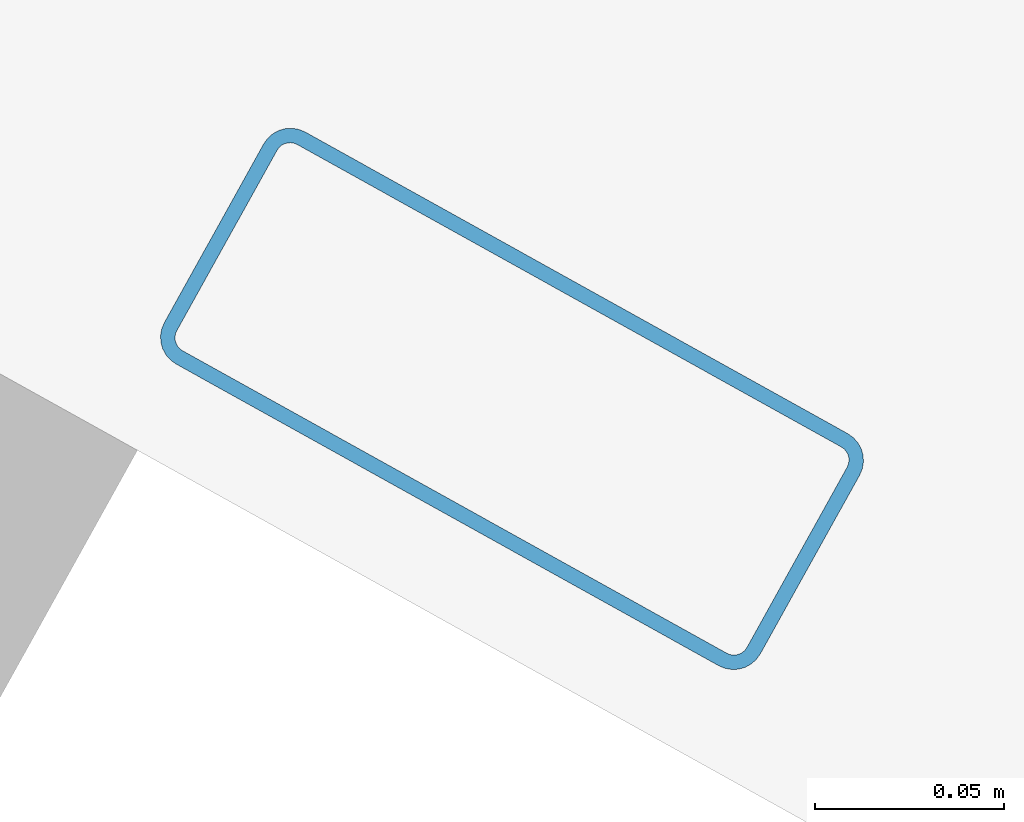
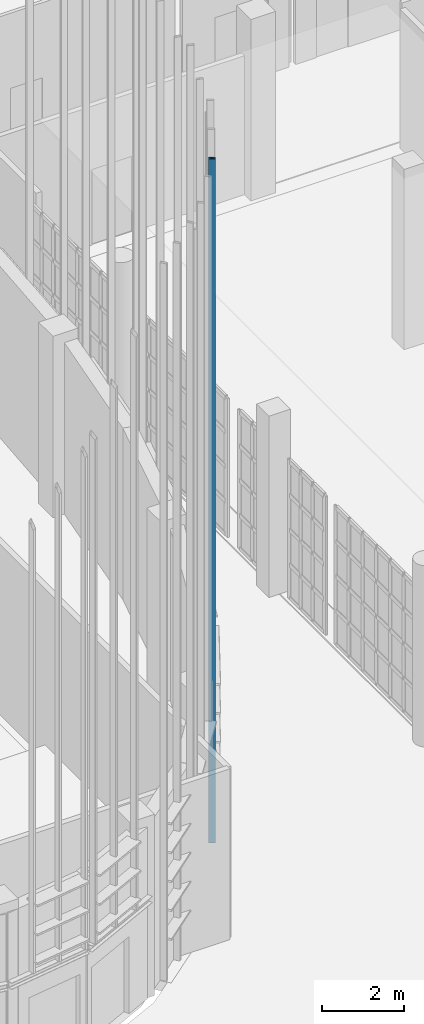
# One storey, part 204 of 372: 1 member.
"""IFC4 building model written with IfcOpenShell, lengths in metres."""

from ifc_helpers import new_model, si_unit, direction, frame, origin, origin_2d, place, context, subcontext, project, spatial, hollow_rectangle, extrude, material, material_profile, profile_set, type_object, element, save


model = new_model("IFC4")

# Units and contexts
model_context = context("Model", 3, precision=1e-05, world=origin(), true_north=direction((0.0, 1.0)))
body_context = subcontext(model_context, "Body", "Model", "MODEL_VIEW")
ifc_project = project(units=[si_unit("LENGTHUNIT", "METRE"), si_unit("AREAUNIT", "SQUARE_METRE"), si_unit("VOLUMEUNIT", "CUBIC_METRE"), si_unit("PLANEANGLEUNIT", "RADIAN"), si_unit("MASSUNIT", "GRAM", prefix="KILO")], contexts=[model_context])

# Site, building, storey
site_placement = place(None, origin())
site = spatial("IfcSite", under=ifc_project, at=site_placement, CompositionType="ELEMENT")
building_placement = place(site_placement, origin())
building = spatial("IfcBuilding", under=site, at=building_placement, Name="Kaelora Sail Theatre", CompositionType="ELEMENT")
storey_placement = place(building_placement, origin())
storey = spatial("IfcBuildingStorey", under=building, at=storey_placement, Name="L00", CompositionType="ELEMENT", Elevation=0.0)

# Member
ifc_material = material(Name="Anodised aluminium 6063-T6", Category="aluminium")
ifc_material_profile = material_profile(ifc_material, hollow_rectangle(XDim=0.070068359375, YDim=0.179931640625, WallThickness=0.00390625, InnerFilletRadius=0.00390625, OuterFilletRadius=0.008056640625, at=origin_2d()), Name="ALU-MULL 70x180x4")
ifc_profile_set = profile_set([ifc_material_profile], Name="Anodised aluminium 6063-T6")
member_type = type_object("IfcMemberType", Name="ARC-MEM-PST-160", PredefinedType="POST", material=ifc_profile_set)
member_placement = place(storey_placement, frame((100.097412109375, 37.533203125, 0.0), z_axis=(0.0, 0.0, 1.0), x_axis=(-0.485877807712, -0.874026747859, 0.0)))
element("IfcMember", 1, at=member_placement, inside=storey, type_object=member_type, Name="Studio Theatre Sail Drum solar louvre vertical support post C6-3", PredefinedType="POST", context=body_context, shape_type="SweptSolid", body=[
    extrude(hollow_rectangle(XDim=0.070068359375, YDim=0.179931640625, WallThickness=0.00390625, InnerFilletRadius=0.00390625, OuterFilletRadius=0.008056640625, at=origin_2d()), origin(), (0.0, 0.0, 1.0), 20.368896484375),
])

save(model, "model.ifc")
